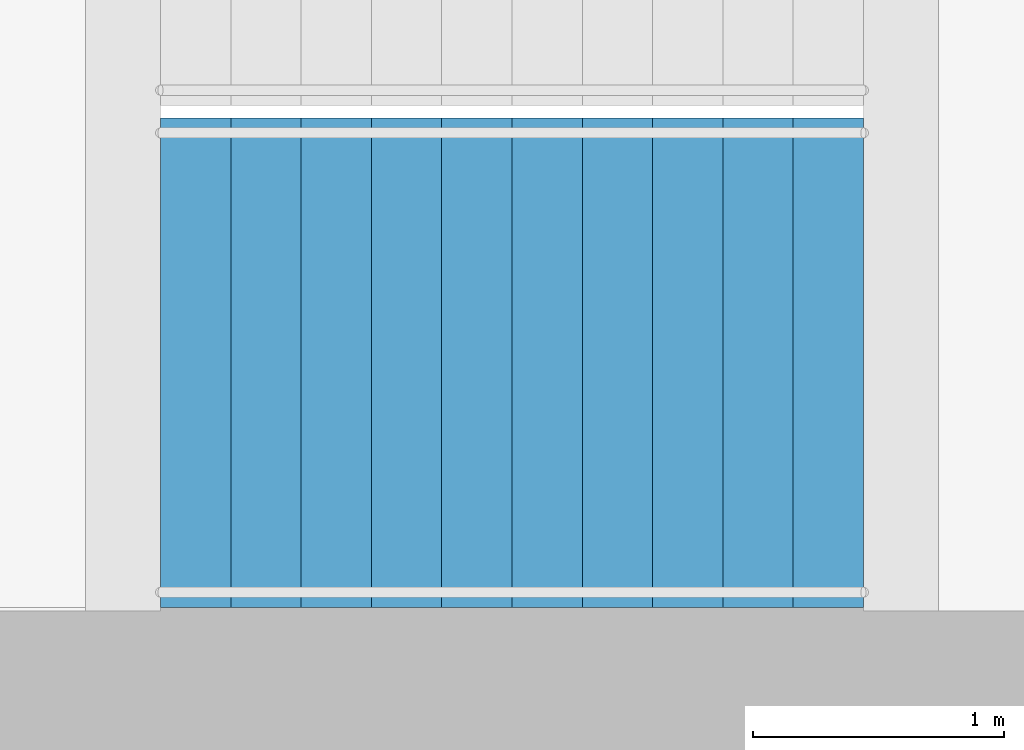
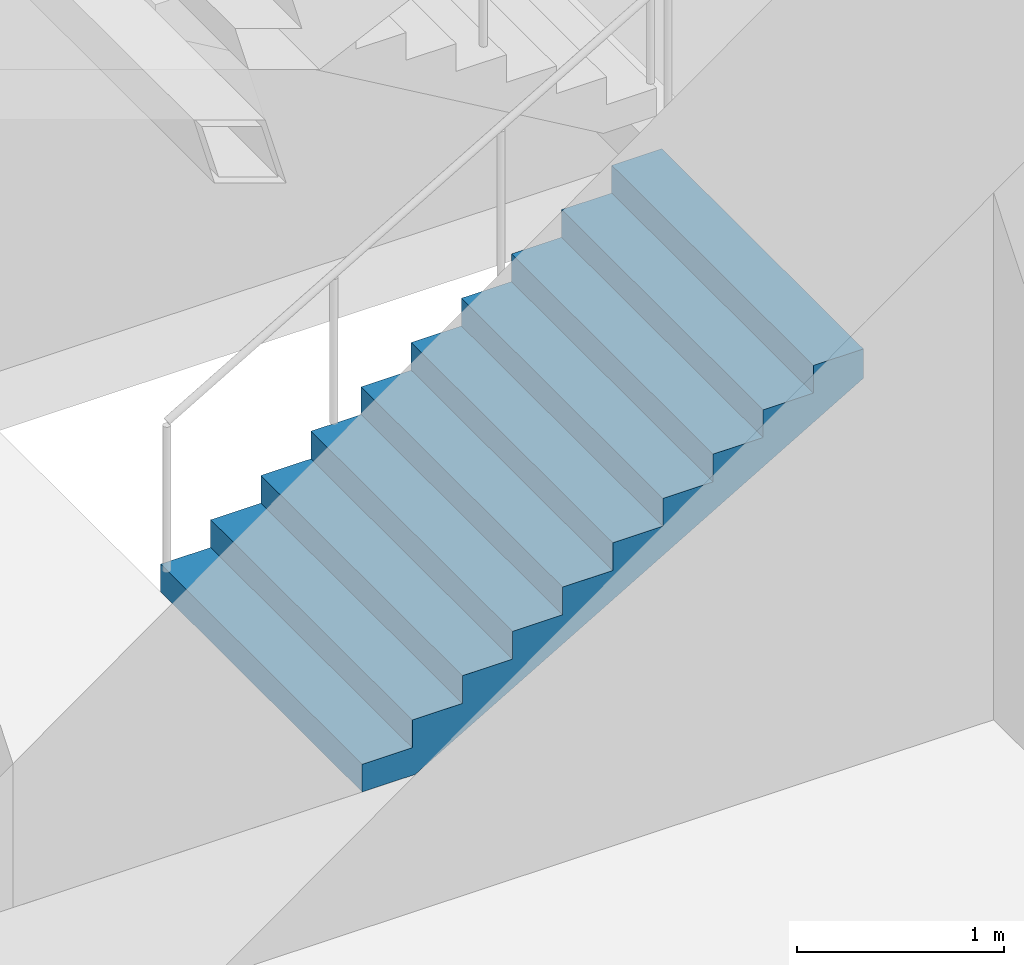
# One storey, part 16 of 24: 1 stair flight, 1 element without a shape of its own.
"""IFC4 building model written with IfcOpenShell, lengths in metres."""

from ifc_helpers import new_model, si_unit, direction, frame, origin, place, context, subcontext, project, spatial, triangles, material, type_object, element, aggregate, save


model = new_model("IFC4")

# Units and contexts
model_context = context("Model", 3, precision=1e-05, world=origin(), true_north=direction((0.0, 1.0)))
body_context = subcontext(model_context, "Body", "Model", "MODEL_VIEW")
ifc_project = project(units=[si_unit("LENGTHUNIT", "METRE"), si_unit("AREAUNIT", "SQUARE_METRE"), si_unit("VOLUMEUNIT", "CUBIC_METRE"), si_unit("PLANEANGLEUNIT", "RADIAN"), si_unit("MASSUNIT", "GRAM", prefix="KILO")], contexts=[model_context])

# Site, building, storey
site_placement = place(None, origin())
site = spatial("IfcSite", under=ifc_project, at=site_placement, CompositionType="ELEMENT")
building_placement = place(site_placement, origin())
building = spatial("IfcBuilding", under=site, at=building_placement, Name="Orbita Commons", CompositionType="ELEMENT")
storey_placement = place(building_placement, frame((0.0, 0.0, 68.949951171875)))
storey = spatial("IfcBuildingStorey", under=building, at=storey_placement, Name="L17", CompositionType="ELEMENT", Elevation=68.949951171875)

# Stair, stair flight
ifc_material_1 = material(Name="Precast concrete C40/50", Category="concrete")
stair_type = type_object("IfcStairType", Name="Exit stair S1 4 flights 11 risers 164", PredefinedType="HALF_TURN_STAIR", material=ifc_material_1)
stair_placement = place(storey_placement, origin())
stair = element("IfcStair", 1, at=stair_placement, inside=storey, type_object=stair_type, Name="Exit stair S1 L17", PredefinedType="HALF_TURN_STAIR")
ifc_material_2 = material(Name="Precast concrete C40/50", Category="concrete")
stair_flight_type = type_object("IfcStairFlightType", Name="Stair flight 11 risers 164 x 280", PredefinedType="STRAIGHT", material=ifc_material_2)
stair_flight_placement = place(storey_placement, frame((20.449951171875, 27.27490234375, 0.0), z_axis=(0.0, 0.0, 1.0), x_axis=(1.0, 0.0, 0.0)))
stair_flight = element("IfcStairFlight", 2, at=stair_flight_placement, type_object=stair_flight_type, Name="S1 flight 1", NumberOfRisers=11, NumberOfTreads=10, PredefinedType="STRAIGHT", RiserHeight=0.163636364, TreadLength=0.28, context=body_context, shape_type="Tessellation", body=[
    triangles([(0.0, 0.974976, 0.0), (0.0, 0.974976, 0.020455), (0.0, 0.81248, 0.020455), (0.0, 0.81248, 0.0), (0.0, 0.649984, 0.020455), (0.0, 0.649984, 0.0), (0.0, 0.487488, 0.020455), (0.0, 0.487488, 0.0), (0.0, 0.324992, 0.020455), (0.0, 0.324992, 0.0), (0.0, 0.162496, 0.020455), (0.0, 0.162496, 0.0), (0.0, 0.0, 0.020455), (0.0, 0.0, 0.0), (0.0, -0.162496, 0.020455), (0.0, -0.162496, 0.0), (0.0, -0.324992, 0.020455), (0.0, -0.324992, 0.0), (0.0, -0.487488, 0.020455), (0.0, -0.487488, 0.0), (0.0, -0.649984, 0.020455), (0.0, -0.649984, 0.0), (0.0, -0.81248, 0.020455), (0.0, -0.81248, 0.0), (0.0, -0.974976, 0.020455), (0.0, -0.974976, 0.0), (0.0, 0.974976, 0.040909), (0.0, 0.81248, 0.040909), (0.0, 0.649984, 0.040909), (0.0, 0.487488, 0.040909), (0.0, 0.324992, 0.040909), (0.0, 0.162496, 0.040909), (0.0, 0.0, 0.040909), (0.0, -0.162496, 0.040909), (0.0, -0.324992, 0.040909), (0.0, -0.487488, 0.040909), (0.0, -0.649984, 0.040909), (0.0, -0.81248, 0.040909), (0.0, -0.974976, 0.040909), (0.0, 0.974976, 0.061364), (0.0, 0.81248, 0.061364), (0.0, 0.649984, 0.061364), (0.0, 0.487488, 0.061364), (0.0, 0.324992, 0.061364), (0.0, 0.162496, 0.061364), (0.0, 0.0, 0.061364), (0.0, -0.162496, 0.061364), (0.0, -0.324992, 0.061364), (0.0, -0.487488, 0.061364), (0.0, -0.649984, 0.061364), (0.0, -0.81248, 0.061364), (0.0, -0.974976, 0.061364), (0.0, 0.974976, 0.081818), (0.0, 0.81248, 0.081818), (0.0, 0.649984, 0.081818), (0.0, 0.487488, 0.081818), (0.0, 0.324992, 0.081818), (0.0, 0.162496, 0.081818), (0.0, 0.0, 0.081818), (0.0, -0.162496, 0.081818), (0.0, -0.324992, 0.081818), (0.0, -0.487488, 0.081818), (0.0, -0.649984, 0.081818), (0.0, -0.81248, 0.081818), (0.0, -0.974976, 0.081818), (0.0, 0.974976, 0.102273), (0.0, 0.81248, 0.102273), (0.0, 0.649984, 0.102273), (0.0, 0.487488, 0.102273), (0.0, 0.324992, 0.102273), (0.0, 0.162496, 0.102273), (0.0, 0.0, 0.102273), (0.0, -0.162496, 0.102273), (0.0, -0.324992, 0.102273), (0.0, -0.487488, 0.102273), (0.0, -0.649984, 0.102273), (0.0, -0.81248, 0.102273), (0.0, -0.974976, 0.102273), (0.0, 0.974976, 0.122727), (0.0, 0.81248, 0.122727), (0.0, 0.649984, 0.122727), (0.0, 0.487488, 0.122727), (0.0, 0.324992, 0.122727), (0.0, 0.162496, 0.122727), (0.0, 0.0, 0.122727), (0.0, -0.162496, 0.122727), (0.0, -0.324992, 0.122727), (0.0, -0.487488, 0.122727), (0.0, -0.649984, 0.122727), (0.0, -0.81248, 0.122727), (0.0, -0.974976, 0.122727), (0.0, 0.974976, 0.143182), (0.0, 0.81248, 0.143182), (0.0, 0.649984, 0.143182), (0.0, 0.487488, 0.143182), (0.0, 0.324992, 0.143182), (0.0, 0.162496, 0.143182), (0.0, 0.0, 0.143182), (0.0, -0.162496, 0.143182), (0.0, -0.324992, 0.143182), (0.0, -0.487488, 0.143182), (0.0, -0.649984, 0.143182), (0.0, -0.81248, 0.143182), (0.0, -0.974976, 0.143182), (0.0, 0.974976, 0.163636), (0.0, 0.81248, 0.163636), (0.0, 0.649984, 0.163636), (0.0, 0.487488, 0.163636), (0.0, 0.324992, 0.163636), (0.0, 0.162496, 0.163636), (0.0, 0.0, 0.163636), (0.0, -0.162496, 0.163636), (0.0, -0.324992, 0.163636), (0.0, -0.487488, 0.163636), (0.0, -0.649984, 0.163636), (0.0, -0.81248, 0.163636), (0.0, -0.974976, 0.163636), (0.28, 0.974976, 0.163636), (0.28, 0.81248, 0.163636), (0.28, 0.649984, 0.163636), (0.28, 0.487488, 0.163636), (0.28, 0.324992, 0.163636), (0.28, 0.162496, 0.163636), (0.28, 0.0, 0.163636), (0.28, -0.162496, 0.163636), (0.28, -0.324992, 0.163636), (0.28, -0.487488, 0.163636), (0.28, -0.649984, 0.163636), (0.28, -0.81248, 0.163636), (0.28, -0.974976, 0.163636), (0.28, 0.974976, 0.327273), (0.28, 0.81248, 0.327273), (0.28, 0.649984, 0.327273), (0.28, 0.487488, 0.327273), (0.28, 0.324992, 0.327273), (0.28, 0.162496, 0.327273), (0.28, 0.0, 0.327273), (0.28, -0.162496, 0.327273), (0.28, -0.324992, 0.327273), (0.28, -0.487488, 0.327273), (0.28, -0.649984, 0.327273), (0.28, -0.81248, 0.327273), (0.28, -0.974976, 0.327273), (0.56, 0.974976, 0.327273), (0.56, 0.81248, 0.327273), (0.56, 0.649984, 0.327273), (0.56, 0.487488, 0.327273), (0.56, 0.324992, 0.327273), (0.56, 0.162496, 0.327273), (0.56, 0.0, 0.327273), (0.56, -0.162496, 0.327273), (0.56, -0.324992, 0.327273), (0.56, -0.487488, 0.327273), (0.56, -0.649984, 0.327273), (0.56, -0.81248, 0.327273), (0.56, -0.974976, 0.327273), (0.56, 0.974976, 0.490909), (0.56, 0.81248, 0.490909), (0.56, 0.649984, 0.490909), (0.56, 0.487488, 0.490909), (0.56, 0.324992, 0.490909), (0.56, 0.162496, 0.490909), (0.56, 0.0, 0.490909), (0.56, -0.162496, 0.490909), (0.56, -0.324992, 0.490909), (0.56, -0.487488, 0.490909), (0.56, -0.649984, 0.490909), (0.56, -0.81248, 0.490909), (0.56, -0.974976, 0.490909), (0.84, 0.974976, 0.490909), (0.84, 0.81248, 0.490909), (0.84, 0.649984, 0.490909), (0.84, 0.487488, 0.490909), (0.84, 0.324992, 0.490909), (0.84, 0.162496, 0.490909), (0.84, 0.0, 0.490909), (0.84, -0.162496, 0.490909), (0.84, -0.324992, 0.490909), (0.84, -0.487488, 0.490909), (0.84, -0.649984, 0.490909), (0.84, -0.81248, 0.490909), (0.84, -0.974976, 0.490909), (0.84, 0.974976, 0.654545), (0.84, 0.81248, 0.654545), (0.84, 0.649984, 0.654545), (0.84, 0.487488, 0.654545), (0.84, 0.324992, 0.654545), (0.84, 0.162496, 0.654545), (0.84, 0.0, 0.654545), (0.84, -0.162496, 0.654545), (0.84, -0.324992, 0.654545), (0.84, -0.487488, 0.654545), (0.84, -0.649984, 0.654545), (0.84, -0.81248, 0.654545), (0.84, -0.974976, 0.654545), (1.12, 0.974976, 0.654545), (1.12, 0.81248, 0.654545), (1.12, 0.649984, 0.654545), (1.12, 0.487488, 0.654545), (1.12, 0.324992, 0.654545), (1.12, 0.162496, 0.654545), (1.12, 0.0, 0.654545), (1.12, -0.162496, 0.654545), (1.12, -0.324992, 0.654545), (1.12, -0.487488, 0.654545), (1.12, -0.649984, 0.654545), (1.12, -0.81248, 0.654545), (1.12, -0.974976, 0.654545), (1.12, 0.974976, 0.818182), (1.12, 0.81248, 0.818182), (1.12, 0.649984, 0.818182), (1.12, 0.487488, 0.818182), (1.12, 0.324992, 0.818182), (1.12, 0.162496, 0.818182), (1.12, 0.0, 0.818182), (1.12, -0.162496, 0.818182), (1.12, -0.324992, 0.818182), (1.12, -0.487488, 0.818182), (1.12, -0.649984, 0.818182), (1.12, -0.81248, 0.818182), (1.12, -0.974976, 0.818182), (1.4, 0.974976, 0.818182), (1.4, 0.81248, 0.818182), (1.4, 0.649984, 0.818182), (1.4, 0.487488, 0.818182), (1.4, 0.324992, 0.818182), (1.4, 0.162496, 0.818182), (1.4, 0.0, 0.818182), (1.4, -0.162496, 0.818182), (1.4, -0.324992, 0.818182), (1.4, -0.487488, 0.818182), (1.4, -0.649984, 0.818182), (1.4, -0.81248, 0.818182), (1.4, -0.974976, 0.818182), (1.4, 0.974976, 0.981818), (1.4, 0.81248, 0.981818), (1.4, 0.649984, 0.981818), (1.4, 0.487488, 0.981818), (1.4, 0.324992, 0.981818), (1.4, 0.162496, 0.981818), (1.4, 0.0, 0.981818), (1.4, -0.162496, 0.981818), (1.4, -0.324992, 0.981818), (1.4, -0.487488, 0.981818), (1.4, -0.649984, 0.981818), (1.4, -0.81248, 0.981818), (1.4, -0.974976, 0.981818), (1.68, 0.974976, 0.981818), (1.68, 0.81248, 0.981818), (1.68, 0.649984, 0.981818), (1.68, 0.487488, 0.981818), (1.68, 0.324992, 0.981818), (1.68, 0.162496, 0.981818), (1.68, 0.0, 0.981818), (1.68, -0.162496, 0.981818), (1.68, -0.324992, 0.981818), (1.68, -0.487488, 0.981818), (1.68, -0.649984, 0.981818), (1.68, -0.81248, 0.981818), (1.68, -0.974976, 0.981818), (1.68, 0.974976, 1.145455), (1.68, 0.81248, 1.145455), (1.68, 0.649984, 1.145455), (1.68, 0.487488, 1.145455), (1.68, 0.324992, 1.145455), (1.68, 0.162496, 1.145455), (1.68, 0.0, 1.145455), (1.68, -0.162496, 1.145455), (1.68, -0.324992, 1.145455), (1.68, -0.487488, 1.145455), (1.68, -0.649984, 1.145455), (1.68, -0.81248, 1.145455), (1.68, -0.974976, 1.145455), (1.96, 0.974976, 1.145455), (1.96, 0.81248, 1.145455), (1.96, 0.649984, 1.145455), (1.96, 0.487488, 1.145455), (1.96, 0.324992, 1.145455), (1.96, 0.162496, 1.145455), (1.96, 0.0, 1.145455), (1.96, -0.162496, 1.145455), (1.96, -0.324992, 1.145455), (1.96, -0.487488, 1.145455), (1.96, -0.649984, 1.145455), (1.96, -0.81248, 1.145455), (1.96, -0.974976, 1.145455), (1.96, 0.974976, 1.309091), (1.96, 0.81248, 1.309091), (1.96, 0.649984, 1.309091), (1.96, 0.487488, 1.309091), (1.96, 0.324992, 1.309091), (1.96, 0.162496, 1.309091), (1.96, 0.0, 1.309091), (1.96, -0.162496, 1.309091), (1.96, -0.324992, 1.309091), (1.96, -0.487488, 1.309091), (1.96, -0.649984, 1.309091), (1.96, -0.81248, 1.309091), (1.96, -0.974976, 1.309091), (2.24, 0.974976, 1.309091), (2.24, 0.81248, 1.309091), (2.24, 0.649984, 1.309091), (2.24, 0.487488, 1.309091), (2.24, 0.324992, 1.309091), (2.24, 0.162496, 1.309091), (2.24, 0.0, 1.309091), (2.24, -0.162496, 1.309091), (2.24, -0.324992, 1.309091), (2.24, -0.487488, 1.309091), (2.24, -0.649984, 1.309091), (2.24, -0.81248, 1.309091), (2.24, -0.974976, 1.309091), (2.24, 0.974976, 1.472727), (2.24, 0.81248, 1.472727), (2.24, 0.649984, 1.472727), (2.24, 0.487488, 1.472727), (2.24, 0.324992, 1.472727), (2.24, 0.162496, 1.472727), (2.24, 0.0, 1.472727), (2.24, -0.162496, 1.472727), (2.24, -0.324992, 1.472727), (2.24, -0.487488, 1.472727), (2.24, -0.649984, 1.472727), (2.24, -0.81248, 1.472727), (2.24, -0.974976, 1.472727), (2.52, 0.974976, 1.472727), (2.52, 0.81248, 1.472727), (2.52, 0.649984, 1.472727), (2.52, 0.487488, 1.472727), (2.52, 0.324992, 1.472727), (2.52, 0.162496, 1.472727), (2.52, 0.0, 1.472727), (2.52, -0.162496, 1.472727), (2.52, -0.324992, 1.472727), (2.52, -0.487488, 1.472727), (2.52, -0.649984, 1.472727), (2.52, -0.81248, 1.472727), (2.52, -0.974976, 1.472727), (2.52, 0.974976, 1.636364), (2.52, 0.81248, 1.636364), (2.52, 0.649984, 1.636364), (2.52, 0.487488, 1.636364), (2.52, 0.324992, 1.636364), (2.52, 0.162496, 1.636364), (2.52, 0.0, 1.636364), (2.52, -0.162496, 1.636364), (2.52, -0.324992, 1.636364), (2.52, -0.487488, 1.636364), (2.52, -0.649984, 1.636364), (2.52, -0.81248, 1.636364), (2.52, -0.974976, 1.636364), (2.8, 0.974976, 1.636364), (2.8, 0.81248, 1.636364), (2.8, 0.649984, 1.636364), (2.8, 0.487488, 1.636364), (2.8, 0.324992, 1.636364), (2.8, 0.162496, 1.636364), (2.8, 0.0, 1.636364), (2.8, -0.162496, 1.636364), (2.8, -0.324992, 1.636364), (2.8, -0.487488, 1.636364), (2.8, -0.649984, 1.636364), (2.8, -0.81248, 1.636364), (2.8, -0.974976, 1.636364), (2.8, 0.974976, 1.614661), (2.8, 0.81248, 1.614661), (2.8, 0.649984, 1.614661), (2.8, 0.487488, 1.614661), (2.8, 0.324992, 1.614661), (2.8, 0.162496, 1.614661), (2.8, 0.0, 1.614661), (2.8, -0.162496, 1.614661), (2.8, -0.324992, 1.614661), (2.8, -0.487488, 1.614661), (2.8, -0.649984, 1.614661), (2.8, -0.81248, 1.614661), (2.8, -0.974976, 1.614661), (2.8, 0.974976, 1.592958), (2.8, 0.81248, 1.592958), (2.8, 0.649984, 1.592958), (2.8, 0.487488, 1.592958), (2.8, 0.324992, 1.592958), (2.8, 0.162496, 1.592958), (2.8, 0.0, 1.592958), (2.8, -0.162496, 1.592958), (2.8, -0.324992, 1.592958), (2.8, -0.487488, 1.592958), (2.8, -0.649984, 1.592958), (2.8, -0.81248, 1.592958), (2.8, -0.974976, 1.592958), (2.8, 0.974976, 1.571255), (2.8, 0.81248, 1.571255), (2.8, 0.649984, 1.571255), (2.8, 0.487488, 1.571255), (2.8, 0.324992, 1.571255), (2.8, 0.162496, 1.571255), (2.8, 0.0, 1.571255), (2.8, -0.162496, 1.571255), (2.8, -0.324992, 1.571255), (2.8, -0.487488, 1.571255), (2.8, -0.649984, 1.571255), (2.8, -0.81248, 1.571255), (2.8, -0.974976, 1.571255), (2.8, 0.974976, 1.549551), (2.8, 0.81248, 1.549551), (2.8, 0.649984, 1.549551), (2.8, 0.487488, 1.549551), (2.8, 0.324992, 1.549551), (2.8, 0.162496, 1.549551), (2.8, 0.0, 1.549551), (2.8, -0.162496, 1.549551), (2.8, -0.324992, 1.549551), (2.8, -0.487488, 1.549551), (2.8, -0.649984, 1.549551), (2.8, -0.81248, 1.549551), (2.8, -0.974976, 1.549551), (2.8, 0.974976, 1.527848), (2.8, 0.81248, 1.527848), (2.8, 0.649984, 1.527848), (2.8, 0.487488, 1.527848), (2.8, 0.324992, 1.527848), (2.8, 0.162496, 1.527848), (2.8, 0.0, 1.527848), (2.8, -0.162496, 1.527848), (2.8, -0.324992, 1.527848), (2.8, -0.487488, 1.527848), (2.8, -0.649984, 1.527848), (2.8, -0.81248, 1.527848), (2.8, -0.974976, 1.527848), (2.8, 0.974976, 1.506145), (2.8, 0.81248, 1.506145), (2.8, 0.649984, 1.506145), (2.8, 0.487488, 1.506145), (2.8, 0.324992, 1.506145), (2.8, 0.162496, 1.506145), (2.8, 0.0, 1.506145), (2.8, -0.162496, 1.506145), (2.8, -0.324992, 1.506145), (2.8, -0.487488, 1.506145), (2.8, -0.649984, 1.506145), (2.8, -0.81248, 1.506145), (2.8, -0.974976, 1.506145), (2.8, 0.974976, 1.484442), (2.8, 0.81248, 1.484442), (2.8, 0.649984, 1.484442), (2.8, 0.487488, 1.484442), (2.8, 0.324992, 1.484442), (2.8, 0.162496, 1.484442), (2.8, 0.0, 1.484442), (2.8, -0.162496, 1.484442), (2.8, -0.324992, 1.484442), (2.8, -0.487488, 1.484442), (2.8, -0.649984, 1.484442), (2.8, -0.81248, 1.484442), (2.8, -0.974976, 1.484442), (2.8, 0.974976, 1.462739), (2.8, 0.81248, 1.462739), (2.8, 0.649984, 1.462739), (2.8, 0.487488, 1.462739), (2.8, 0.324992, 1.462739), (2.8, 0.162496, 1.462739), (2.8, 0.0, 1.462739), (2.8, -0.162496, 1.462739), (2.8, -0.324992, 1.462739), (2.8, -0.487488, 1.462739), (2.8, -0.649984, 1.462739), (2.8, -0.81248, 1.462739), (2.8, -0.974976, 1.462739), (0.29709, 0.974976, 0.0), (0.29709, 0.81248, 0.0), (0.29709, 0.649984, 0.0), (0.29709, 0.487488, 0.0), (0.29709, 0.324992, 0.0), (0.29709, 0.162496, 0.0), (0.29709, 0.0, 0.0), (0.29709, -0.162496, 0.0), (0.29709, -0.324992, 0.0), (0.29709, -0.487488, 0.0), (0.29709, -0.649984, 0.0), (0.29709, -0.81248, 0.0), (0.29709, -0.974976, 0.0)], [[3, 2, 1], [4, 3, 1], [5, 3, 4], [6, 5, 4], [7, 5, 6], [8, 7, 6], [9, 7, 8], [10, 9, 8], [11, 9, 10], [12, 11, 10], [13, 11, 12], [14, 13, 12], [15, 13, 14], [16, 15, 14], [17, 15, 16], [18, 17, 16], [19, 17, 18], [20, 19, 18], [21, 19, 20], [22, 21, 20], [23, 21, 22], [24, 23, 22], [25, 23, 24], [26, 25, 24], [28, 27, 2], [3, 28, 2], [29, 28, 3], [5, 29, 3], [30, 29, 5], [7, 30, 5], [31, 30, 7], [9, 31, 7], [32, 31, 9], [11, 32, 9], [33, 32, 11], [13, 33, 11], [34, 33, 13], [15, 34, 13], [35, 34, 15], [17, 35, 15], [36, 35, 17], [19, 36, 17], [37, 36, 19], [21, 37, 19], [38, 37, 21], [23, 38, 21], [39, 38, 23], [25, 39, 23], [41, 40, 27], [28, 41, 27], [42, 41, 28], [29, 42, 28], [43, 42, 29], [30, 43, 29], [44, 43, 30], [31, 44, 30], [45, 44, 31], [32, 45, 31], [46, 45, 32], [33, 46, 32], [47, 46, 33], [34, 47, 33], [48, 47, 34], [35, 48, 34], [49, 48, 35], [36, 49, 35], [50, 49, 36], [37, 50, 36], [51, 50, 37], [38, 51, 37], [52, 51, 38], [39, 52, 38], [54, 53, 40], [41, 54, 40], [55, 54, 41], [42, 55, 41], [56, 55, 42], [43, 56, 42], [57, 56, 43], [44, 57, 43], [58, 57, 44], [45, 58, 44], [59, 58, 45], [46, 59, 45], [60, 59, 46], [47, 60, 46], [61, 60, 47], [48, 61, 47], [62, 61, 48], [49, 62, 48], [63, 62, 49], [50, 63, 49], [64, 63, 50], [51, 64, 50], [65, 64, 51], [52, 65, 51], [67, 66, 53], [54, 67, 53], [68, 67, 54], [55, 68, 54], [69, 68, 55], [56, 69, 55], [70, 69, 56], [57, 70, 56], [71, 70, 57], [58, 71, 57], [72, 71, 58], [59, 72, 58], [73, 72, 59], [60, 73, 59], [74, 73, 60], [61, 74, 60], [75, 74, 61], [62, 75, 61], [76, 75, 62], [63, 76, 62], [77, 76, 63], [64, 77, 63], [78, 77, 64], [65, 78, 64], [80, 79, 66], [67, 80, 66], [81, 80, 67], [68, 81, 67], [82, 81, 68], [69, 82, 68], [83, 82, 69], [70, 83, 69], [84, 83, 70], [71, 84, 70], [85, 84, 71], [72, 85, 71], [86, 85, 72], [73, 86, 72], [87, 86, 73], [74, 87, 73], [88, 87, 74], [75, 88, 74], [89, 88, 75], [76, 89, 75], [90, 89, 76], [77, 90, 76], [91, 90, 77], [78, 91, 77], [93, 92, 79], [80, 93, 79], [94, 93, 80], [81, 94, 80], [95, 94, 81], [82, 95, 81], [96, 95, 82], [83, 96, 82], [97, 96, 83], [84, 97, 83], [98, 97, 84], [85, 98, 84], [99, 98, 85], [86, 99, 85], [100, 99, 86], [87, 100, 86], [101, 100, 87], [88, 101, 87], [102, 101, 88], [89, 102, 88], [103, 102, 89], [90, 103, 89], [104, 103, 90], [91, 104, 90], [106, 105, 92], [93, 106, 92], [107, 106, 93], [94, 107, 93], [108, 107, 94], [95, 108, 94], [109, 108, 95], [96, 109, 95], [110, 109, 96], [97, 110, 96], [111, 110, 97], [98, 111, 97], [112, 111, 98], [99, 112, 98], [113, 112, 99], [100, 113, 99], [114, 113, 100], [101, 114, 100], [115, 114, 101], [102, 115, 101], [116, 115, 102], [103, 116, 102], [117, 116, 103], [104, 117, 103], [119, 118, 105], [106, 119, 105], [120, 119, 106], [107, 120, 106], [121, 120, 107], [108, 121, 107], [122, 121, 108], [109, 122, 108], [123, 122, 109], [110, 123, 109], [124, 123, 110], [111, 124, 110], [125, 124, 111], [112, 125, 111], [126, 125, 112], [113, 126, 112], [127, 126, 113], [114, 127, 113], [128, 127, 114], [115, 128, 114], [129, 128, 115], [116, 129, 115], [130, 129, 116], [117, 130, 116], [132, 131, 118], [119, 132, 118], [133, 132, 119], [120, 133, 119], [134, 133, 120], [121, 134, 120], [135, 134, 121], [122, 135, 121], [136, 135, 122], [123, 136, 122], [137, 136, 123], [124, 137, 123], [138, 137, 124], [125, 138, 124], [139, 138, 125], [126, 139, 125], [140, 139, 126], [127, 140, 126], [141, 140, 127], [128, 141, 127], [142, 141, 128], [129, 142, 128], [143, 142, 129], [130, 143, 129], [145, 144, 131], [132, 145, 131], [146, 145, 132], [133, 146, 132], [147, 146, 133], [134, 147, 133], [148, 147, 134], [135, 148, 134], [149, 148, 135], [136, 149, 135], [150, 149, 136], [137, 150, 136], [151, 150, 137], [138, 151, 137], [152, 151, 138], [139, 152, 138], [153, 152, 139], [140, 153, 139], [154, 153, 140], [141, 154, 140], [155, 154, 141], [142, 155, 141], [156, 155, 142], [143, 156, 142], [158, 157, 144], [145, 158, 144], [159, 158, 145], [146, 159, 145], [160, 159, 146], [147, 160, 146], [161, 160, 147], [148, 161, 147], [162, 161, 148], [149, 162, 148], [163, 162, 149], [150, 163, 149], [164, 163, 150], [151, 164, 150], [165, 164, 151], [152, 165, 151], [166, 165, 152], [153, 166, 152], [167, 166, 153], [154, 167, 153], [168, 167, 154], [155, 168, 154], [169, 168, 155], [156, 169, 155], [171, 170, 157], [158, 171, 157], [172, 171, 158], [159, 172, 158], [173, 172, 159], [160, 173, 159], [174, 173, 160], [161, 174, 160], [175, 174, 161], [162, 175, 161], [176, 175, 162], [163, 176, 162], [177, 176, 163], [164, 177, 163], [178, 177, 164], [165, 178, 164], [179, 178, 165], [166, 179, 165], [180, 179, 166], [167, 180, 166], [181, 180, 167], [168, 181, 167], [182, 181, 168], [169, 182, 168], [184, 183, 170], [171, 184, 170], [185, 184, 171], [172, 185, 171], [186, 185, 172], [173, 186, 172], [187, 186, 173], [174, 187, 173], [188, 187, 174], [175, 188, 174], [189, 188, 175], [176, 189, 175], [190, 189, 176], [177, 190, 176], [191, 190, 177], [178, 191, 177], [192, 191, 178], [179, 192, 178], [193, 192, 179], [180, 193, 179], [194, 193, 180], [181, 194, 180], [195, 194, 181], [182, 195, 181], [197, 196, 183], [184, 197, 183], [198, 197, 184], [185, 198, 184], [199, 198, 185], [186, 199, 185], [200, 199, 186], [187, 200, 186], [201, 200, 187], [188, 201, 187], [202, 201, 188], [189, 202, 188], [203, 202, 189], [190, 203, 189], [204, 203, 190], [191, 204, 190], [205, 204, 191], [192, 205, 191], [206, 205, 192], [193, 206, 192], [207, 206, 193], [194, 207, 193], [208, 207, 194], [195, 208, 194], [210, 209, 196], [197, 210, 196], [211, 210, 197], [198, 211, 197], [212, 211, 198], [199, 212, 198], [213, 212, 199], [200, 213, 199], [214, 213, 200], [201, 214, 200], [215, 214, 201], [202, 215, 201], [216, 215, 202], [203, 216, 202], [217, 216, 203], [204, 217, 203], [218, 217, 204], [205, 218, 204], [219, 218, 205], [206, 219, 205], [220, 219, 206], [207, 220, 206], [221, 220, 207], [208, 221, 207], [223, 222, 209], [210, 223, 209], [224, 223, 210], [211, 224, 210], [225, 224, 211], [212, 225, 211], [226, 225, 212], [213, 226, 212], [227, 226, 213], [214, 227, 213], [228, 227, 214], [215, 228, 214], [229, 228, 215], [216, 229, 215], [230, 229, 216], [217, 230, 216], [231, 230, 217], [218, 231, 217], [232, 231, 218], [219, 232, 218], [233, 232, 219], [220, 233, 219], [234, 233, 220], [221, 234, 220], [236, 235, 222], [223, 236, 222], [237, 236, 223], [224, 237, 223], [238, 237, 224], [225, 238, 224], [239, 238, 225], [226, 239, 225], [240, 239, 226], [227, 240, 226], [241, 240, 227], [228, 241, 227], [242, 241, 228], [229, 242, 228], [243, 242, 229], [230, 243, 229], [244, 243, 230], [231, 244, 230], [245, 244, 231], [232, 245, 231], [246, 245, 232], [233, 246, 232], [247, 246, 233], [234, 247, 233], [249, 248, 235], [236, 249, 235], [250, 249, 236], [237, 250, 236], [251, 250, 237], [238, 251, 237], [252, 251, 238], [239, 252, 238], [253, 252, 239], [240, 253, 239], [254, 253, 240], [241, 254, 240], [255, 254, 241], [242, 255, 241], [256, 255, 242], [243, 256, 242], [257, 256, 243], [244, 257, 243], [258, 257, 244], [245, 258, 244], [259, 258, 245], [246, 259, 245], [260, 259, 246], [247, 260, 246], [262, 261, 248], [249, 262, 248], [263, 262, 249], [250, 263, 249], [264, 263, 250], [251, 264, 250], [265, 264, 251], [252, 265, 251], [266, 265, 252], [253, 266, 252], [267, 266, 253], [254, 267, 253], [268, 267, 254], [255, 268, 254], [269, 268, 255], [256, 269, 255], [270, 269, 256], [257, 270, 256], [271, 270, 257], [258, 271, 257], [272, 271, 258], [259, 272, 258], [273, 272, 259], [260, 273, 259], [275, 274, 261], [262, 275, 261], [276, 275, 262], [263, 276, 262], [277, 276, 263], [264, 277, 263], [278, 277, 264], [265, 278, 264], [279, 278, 265], [266, 279, 265], [280, 279, 266], [267, 280, 266], [281, 280, 267], [268, 281, 267], [282, 281, 268], [269, 282, 268], [283, 282, 269], [270, 283, 269], [284, 283, 270], [271, 284, 270], [285, 284, 271], [272, 285, 271], [286, 285, 272], [273, 286, 272], [288, 287, 274], [275, 288, 274], [289, 288, 275], [276, 289, 275], [290, 289, 276], [277, 290, 276], [291, 290, 277], [278, 291, 277], [292, 291, 278], [279, 292, 278], [293, 292, 279], [280, 293, 279], [294, 293, 280], [281, 294, 280], [295, 294, 281], [282, 295, 281], [296, 295, 282], [283, 296, 282], [297, 296, 283], [284, 297, 283], [298, 297, 284], [285, 298, 284], [299, 298, 285], [286, 299, 285], [301, 300, 287], [288, 301, 287], [302, 301, 288], [289, 302, 288], [303, 302, 289], [290, 303, 289], [304, 303, 290], [291, 304, 290], [305, 304, 291], [292, 305, 291], [306, 305, 292], [293, 306, 292], [307, 306, 293], [294, 307, 293], [308, 307, 294], [295, 308, 294], [309, 308, 295], [296, 309, 295], [310, 309, 296], [297, 310, 296], [311, 310, 297], [298, 311, 297], [312, 311, 298], [299, 312, 298], [314, 313, 300], [301, 314, 300], [315, 314, 301], [302, 315, 301], [316, 315, 302], [303, 316, 302], [317, 316, 303], [304, 317, 303], [318, 317, 304], [305, 318, 304], [319, 318, 305], [306, 319, 305], [320, 319, 306], [307, 320, 306], [321, 320, 307], [308, 321, 307], [322, 321, 308], [309, 322, 308], [323, 322, 309], [310, 323, 309], [324, 323, 310], [311, 324, 310], [325, 324, 311], [312, 325, 311], [327, 326, 313], [314, 327, 313], [328, 327, 314], [315, 328, 314], [329, 328, 315], [316, 329, 315], [330, 329, 316], [317, 330, 316], [331, 330, 317], [318, 331, 317], [332, 331, 318], [319, 332, 318], [333, 332, 319], [320, 333, 319], [334, 333, 320], [321, 334, 320], [335, 334, 321], [322, 335, 321], [336, 335, 322], [323, 336, 322], [337, 336, 323], [324, 337, 323], [338, 337, 324], [325, 338, 324], [340, 339, 326], [327, 340, 326], [341, 340, 327], [328, 341, 327], [342, 341, 328], [329, 342, 328], [343, 342, 329], [330, 343, 329], [344, 343, 330], [331, 344, 330], [345, 344, 331], [332, 345, 331], [346, 345, 332], [333, 346, 332], [347, 346, 333], [334, 347, 333], [348, 347, 334], [335, 348, 334], [349, 348, 335], [336, 349, 335], [350, 349, 336], [337, 350, 336], [351, 350, 337], [338, 351, 337], [353, 352, 339], [340, 353, 339], [354, 353, 340], [341, 354, 340], [355, 354, 341], [342, 355, 341], [356, 355, 342], [343, 356, 342], [357, 356, 343], [344, 357, 343], [358, 357, 344], [345, 358, 344], [359, 358, 345], [346, 359, 345], [360, 359, 346], [347, 360, 346], [361, 360, 347], [348, 361, 347], [362, 361, 348], [349, 362, 348], [363, 362, 349], [350, 363, 349], [364, 363, 350], [351, 364, 350], [366, 365, 352], [353, 366, 352], [367, 366, 353], [354, 367, 353], [368, 367, 354], [355, 368, 354], [369, 368, 355], [356, 369, 355], [370, 369, 356], [357, 370, 356], [371, 370, 357], [358, 371, 357], [372, 371, 358], [359, 372, 358], [373, 372, 359], [360, 373, 359], [374, 373, 360], [361, 374, 360], [375, 374, 361], [362, 375, 361], [376, 375, 362], [363, 376, 362], [377, 376, 363], [364, 377, 363], [379, 378, 365], [366, 379, 365], [380, 379, 366], [367, 380, 366], [381, 380, 367], [368, 381, 367], [382, 381, 368], [369, 382, 368], [383, 382, 369], [370, 383, 369], [384, 383, 370], [371, 384, 370], [385, 384, 371], [372, 385, 371], [386, 385, 372], [373, 386, 372], [387, 386, 373], [374, 387, 373], [388, 387, 374], [375, 388, 374], [389, 388, 375], [376, 389, 375], [390, 389, 376], [377, 390, 376], [392, 391, 378], [379, 392, 378], [393, 392, 379], [380, 393, 379], [394, 393, 380], [381, 394, 380], [395, 394, 381], [382, 395, 381], [396, 395, 382], [383, 396, 382], [397, 396, 383], [384, 397, 383], [398, 397, 384], [385, 398, 384], [399, 398, 385], [386, 399, 385], [400, 399, 386], [387, 400, 386], [401, 400, 387], [388, 401, 387], [402, 401, 388], [389, 402, 388], [403, 402, 389], [390, 403, 389], [405, 404, 391], [392, 405, 391], [406, 405, 392], [393, 406, 392], [407, 406, 393], [394, 407, 393], [408, 407, 394], [395, 408, 394], [409, 408, 395], [396, 409, 395], [410, 409, 396], [397, 410, 396], [411, 410, 397], [398, 411, 397], [412, 411, 398], [399, 412, 398], [413, 412, 399], [400, 413, 399], [414, 413, 400], [401, 414, 400], [415, 414, 401], [402, 415, 401], [416, 415, 402], [403, 416, 402], [418, 417, 404], [405, 418, 404], [419, 418, 405], [406, 419, 405], [420, 419, 406], [407, 420, 406], [421, 420, 407], [408, 421, 407], [422, 421, 408], [409, 422, 408], [423, 422, 409], [410, 423, 409], [424, 423, 410], [411, 424, 410], [425, 424, 411], [412, 425, 411], [426, 425, 412], [413, 426, 412], [427, 426, 413], [414, 427, 413], [428, 427, 414], [415, 428, 414], [429, 428, 415], [416, 429, 415], [431, 430, 417], [418, 431, 417], [432, 431, 418], [419, 432, 418], [433, 432, 419], [420, 433, 419], [434, 433, 420], [421, 434, 420], [435, 434, 421], [422, 435, 421], [436, 435, 422], [423, 436, 422], [437, 436, 423], [424, 437, 423], [438, 437, 424], [425, 438, 424], [439, 438, 425], [426, 439, 425], [440, 439, 426], [427, 440, 426], [441, 440, 427], [428, 441, 427], [442, 441, 428], [429, 442, 428], [444, 443, 430], [431, 444, 430], [445, 444, 431], [432, 445, 431], [446, 445, 432], [433, 446, 432], [447, 446, 433], [434, 447, 433], [448, 447, 434], [435, 448, 434], [449, 448, 435], [436, 449, 435], [450, 449, 436], [437, 450, 436], [451, 450, 437], [438, 451, 437], [452, 451, 438], [439, 452, 438], [453, 452, 439], [440, 453, 439], [454, 453, 440], [441, 454, 440], [455, 454, 441], [442, 455, 441], [457, 456, 443], [444, 457, 443], [458, 457, 444], [445, 458, 444], [459, 458, 445], [446, 459, 445], [460, 459, 446], [447, 460, 446], [461, 460, 447], [448, 461, 447], [462, 461, 448], [449, 462, 448], [463, 462, 449], [450, 463, 449], [464, 463, 450], [451, 464, 450], [465, 464, 451], [452, 465, 451], [466, 465, 452], [453, 466, 452], [467, 466, 453], [454, 467, 453], [468, 467, 454], [455, 468, 454], [470, 469, 456], [457, 470, 456], [471, 470, 457], [458, 471, 457], [472, 471, 458], [459, 472, 458], [473, 472, 459], [460, 473, 459], [474, 473, 460], [461, 474, 460], [475, 474, 461], [462, 475, 461], [476, 475, 462], [463, 476, 462], [477, 476, 463], [464, 477, 463], [478, 477, 464], [465, 478, 464], [479, 478, 465], [466, 479, 465], [480, 479, 466], [467, 480, 466], [481, 480, 467], [468, 481, 467], [4, 1, 469], [470, 4, 469], [6, 4, 470], [471, 6, 470], [8, 6, 471], [472, 8, 471], [10, 8, 472], [473, 10, 472], [12, 10, 473], [474, 12, 473], [14, 12, 474], [475, 14, 474], [16, 14, 475], [476, 16, 475], [18, 16, 476], [477, 18, 476], [20, 18, 477], [478, 20, 477], [22, 20, 478], [479, 22, 478], [24, 22, 479], [480, 24, 479], [26, 24, 480], [481, 26, 480], [456, 469, 1], [26, 481, 468], [443, 456, 1], [26, 468, 455], [430, 443, 1], [26, 455, 442], [417, 430, 1], [26, 442, 429], [404, 417, 1], [26, 429, 416], [391, 404, 1], [26, 416, 403], [378, 391, 1], [26, 403, 390], [365, 378, 1], [26, 390, 377], [339, 352, 365], [377, 364, 351], [326, 339, 365], [377, 351, 338], [300, 313, 326], [338, 325, 312], [300, 326, 365], [377, 338, 312], [274, 287, 300], [312, 299, 286], [274, 300, 365], [377, 312, 286], [248, 261, 274], [286, 273, 260], [248, 274, 365], [377, 286, 260], [222, 235, 248], [260, 247, 234], [222, 248, 365], [377, 260, 234], [196, 209, 222], [234, 221, 208], [196, 222, 365], [377, 234, 208], [170, 183, 196], [208, 195, 182], [170, 196, 365], [377, 208, 182], [144, 157, 170], [182, 169, 156], [144, 170, 365], [377, 182, 156], [118, 131, 144], [156, 143, 130], [118, 144, 365], [377, 156, 130], [118, 365, 1], [26, 377, 130], [92, 105, 118], [130, 117, 104], [79, 92, 118], [130, 104, 91], [66, 79, 118], [130, 91, 78], [53, 66, 118], [130, 78, 65], [40, 53, 118], [130, 65, 52], [27, 40, 118], [130, 52, 39], [2, 27, 118], [130, 39, 25], [1, 2, 118], [130, 25, 26]], closed=True),
])
aggregate(stair, [stair_flight])

save(model, "model.ifc")
